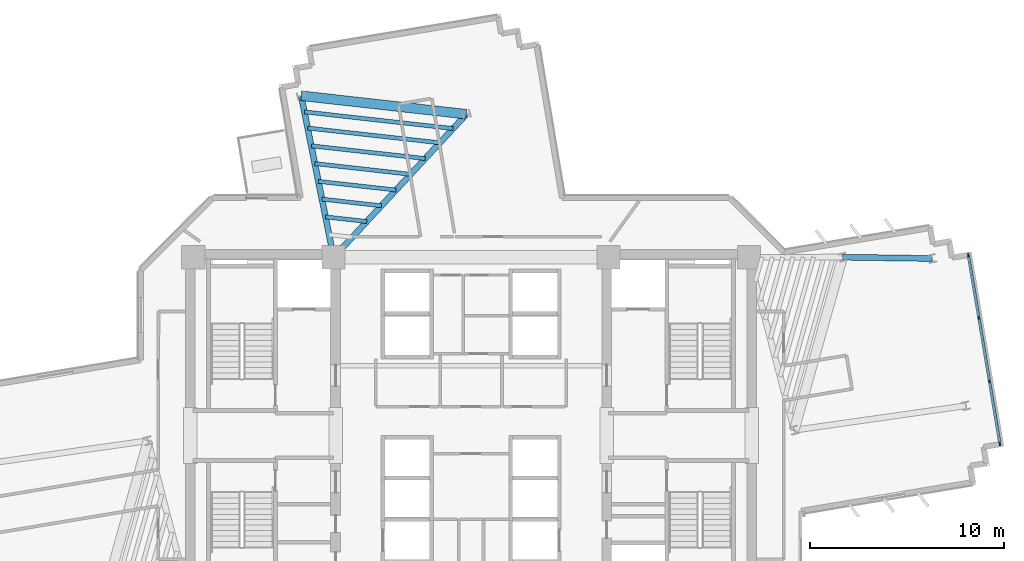
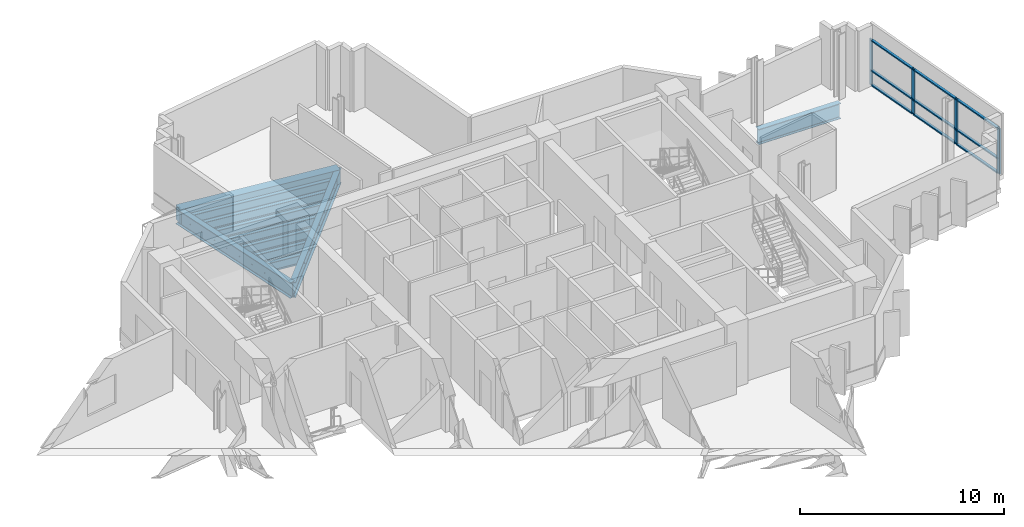
# One storey, part 5 of 15: 13 members, 11 beams, 1 element without a shape of its own.
"""IFC4 building model written with IfcOpenShell, lengths in metres."""

from ifc_helpers import new_model, si_unit, direction, frame, origin, origin_2d, place, context, subcontext, project, spatial, rectangle, i_section, extrude, source, transform, mapped, material, layer, layer_set, material_profile, profile_set, type_object, element, aggregate, save


model = new_model("IFC4")

# Units and contexts
model_context = context("Model", 3, precision=1e-05, world=origin(), true_north=direction((0.0, 1.0)))
body_context = subcontext(model_context, "Body", "Model", "MODEL_VIEW")
ifc_project = project(units=[si_unit("LENGTHUNIT", "METRE"), si_unit("AREAUNIT", "SQUARE_METRE"), si_unit("VOLUMEUNIT", "CUBIC_METRE"), si_unit("PLANEANGLEUNIT", "RADIAN"), si_unit("MASSUNIT", "GRAM", prefix="KILO")], contexts=[model_context])

# Site, building, storey
site_placement = place(None, origin())
site = spatial("IfcSite", under=ifc_project, at=site_placement, CompositionType="ELEMENT")
building_placement = place(site_placement, origin())
building = spatial("IfcBuilding", under=site, at=building_placement, Name="Zahravan Cultural Tower", CompositionType="ELEMENT")
storey_placement = place(building_placement, frame((0.0, 0.0, 135.60009765625)))
storey = spatial("IfcBuildingStorey", under=building, at=storey_placement, Name="L30", CompositionType="ELEMENT", Elevation=135.60009765625)

# Beams
ifc_material_1 = material(Name="Steel ASTM A992 Grade 50", Category="steel")
ifc_material_profile_1 = material_profile(ifc_material_1, i_section(OverallWidth=0.304931640625, OverallDepth=0.9189453125, WebThickness=0.017333984375, FlangeThickness=0.02783203125, FilletRadius=0.02392578125, at=origin_2d()), Name="W36X170")
ifc_profile_set_1 = profile_set([ifc_material_profile_1], Name="Steel ASTM A992 Grade 50")
beam_type_1 = type_object("IfcBeamType", Name="BM-G-W36X170", PredefinedType="BEAM", material=ifc_profile_set_1)
shared_shape_1 = source(origin(), body_context, "Body", "SweptSolid", [
    extrude(i_section(OverallWidth=0.304931640625, OverallDepth=0.9189453125, WebThickness=0.017333984375, FlangeThickness=0.02783203125, FilletRadius=0.02392578125, at=origin_2d()), origin(), (0.0, 0.0, 1.0), 10.077880859375),
])
beam_1_placement = place(storey_placement, frame((28.89990234375, 36.199951171875, -0.739501953125), z_axis=(0.680170435587, 0.733054007938, 0.0), x_axis=(-0.733054007938, 0.680170435587, 0.0)))
element("IfcBeam", 1, at=beam_1_placement, inside=storey, type_object=beam_type_1, Name="L30 Beam BG-L30-13", PredefinedType="BEAM", context=body_context, shape_type="MappedRepresentation", body=[
    mapped(shared_shape_1, transform((0.0, 0.0, 0.0), x_axis=(1.0, 0.0, 0.0), y_axis=(0.0, 1.0, 0.0), z_axis=(0.0, 0.0, 1.0), scale=1.0)),
])
shared_shape_2 = source(origin(), body_context, "Body", "SweptSolid", [
    extrude(i_section(OverallWidth=0.304931640625, OverallDepth=0.9189453125, WebThickness=0.017333984375, FlangeThickness=0.02783203125, FilletRadius=0.02392578125, at=origin_2d()), origin(), (0.0, 0.0, 1.0), 8.50732421875),
])
beam_2_placement = place(storey_placement, frame((28.89990234375, 36.199951171875, -0.739501953125), z_axis=(-0.196524514012, 0.980498911469, 0.0), x_axis=(-0.980498911469, -0.196524514012, 0.0)))
element("IfcBeam", 2, at=beam_2_placement, inside=storey, type_object=beam_type_1, Name="L30 Beam BG-L30-14", PredefinedType="BEAM", context=body_context, shape_type="MappedRepresentation", body=[
    mapped(shared_shape_2, transform((0.0, 0.0, 0.0), x_axis=(1.0, 0.0, 0.0), y_axis=(0.0, 1.0, 0.0), z_axis=(0.0, 0.0, 1.0), scale=1.0)),
])
shared_shape_3 = source(origin(), body_context, "Body", "SweptSolid", [
    extrude(i_section(OverallWidth=0.304931640625, OverallDepth=0.9189453125, WebThickness=0.017333984375, FlangeThickness=0.02783203125, FilletRadius=0.02392578125, at=origin_2d()), origin(), (0.0, 0.0, 1.0), 4.622314453125),
])
beam_3_placement = place(storey_placement, frame((55.184814453125, 36.2060546875, -0.739501953125), z_axis=(0.999889070044, -0.014894549562, 0.0), x_axis=(0.014894549562, 0.999889070044, 0.0)))
element("IfcBeam", 3, at=beam_3_placement, inside=storey, type_object=beam_type_1, Name="L30 Beam BG-L30-16", PredefinedType="BEAM", context=body_context, shape_type="MappedRepresentation", body=[
    mapped(shared_shape_3, transform((0.0, 0.0, 0.0), x_axis=(1.0, 0.0, 0.0), y_axis=(0.0, 1.0, 0.0), z_axis=(0.0, 0.0, 1.0), scale=1.0)),
])
ifc_material_2 = material(Name="Concrete C50/60", Category="concrete")
ifc_material_profile_2 = material_profile(ifc_material_2, rectangle(XDim=0.5, YDim=0.85009765625, at=origin_2d()), Name="RC500X850")
ifc_profile_set_2 = profile_set([ifc_material_profile_2], Name="Concrete C50/60")
beam_type_2 = type_object("IfcBeamType", Name="BM-SP-RC500X850", PredefinedType="SPANDREL", material=ifc_profile_set_2)
shared_shape_4 = source(origin(), body_context, "Body", "SweptSolid", [
    extrude(rectangle(XDim=0.5, YDim=0.85009765625, at=origin_2d()), origin(), (0.0, 0.0, 1.0), 8.579833984375),
])
beam_4_placement = place(storey_placement, frame((35.754638671875, 43.587646484375, -0.705078125), z_axis=(-0.9938040105, 0.11114669907, 0.0), x_axis=(-0.11114669907, -0.9938040105, 0.0)))
element("IfcBeam", 4, at=beam_4_placement, inside=storey, type_object=beam_type_2, Name="L30 Beam SP-L30-22", PredefinedType="SPANDREL", context=body_context, shape_type="MappedRepresentation", body=[
    mapped(shared_shape_4, transform((0.0, 0.0, 0.0), x_axis=(1.0, 0.0, 0.0), y_axis=(0.0, 1.0, 0.0), z_axis=(0.0, 0.0, 1.0), scale=1.0)),
])
ifc_material_profile_3 = material_profile(ifc_material_1, i_section(OverallWidth=0.2099609375, OverallDepth=0.532958984375, WebThickness=0.01025390625, FlangeThickness=0.015625, FilletRadius=0.013916015625, at=origin_2d()), Name="W21X62")
ifc_profile_set_3 = profile_set([ifc_material_profile_3], Name="Steel ASTM A992 Grade 50")
beam_type_3 = type_object("IfcBeamType", Name="BM-J-W21X62", PredefinedType="JOIST", material=ifc_profile_set_3)
shared_shape_5 = source(origin(), body_context, "Body", "SweptSolid", [
    extrude(i_section(OverallWidth=0.2099609375, OverallDepth=0.532958984375, WebThickness=0.01025390625, FlangeThickness=0.015625, FilletRadius=0.013916015625, at=origin_2d()), origin(), (0.0, 0.0, 1.0), 2.144775390625),
])
beam_5_placement = place(storey_placement, frame((30.613525390625, 38.046875, -0.546630859375), z_axis=(-0.993797370806, 0.111206051, 0.0), x_axis=(-0.111206051, -0.993797370806, 0.0)))
element("IfcBeam", 5, at=beam_5_placement, inside=storey, type_object=beam_type_3, Name="L30 Beam BJ-L30-49", PredefinedType="JOIST", context=body_context, shape_type="MappedRepresentation", body=[
    mapped(shared_shape_5, transform((0.0, 0.0, 0.0), x_axis=(1.0, 0.0, 0.0), y_axis=(0.0, 1.0, 0.0), z_axis=(0.0, 0.0, 1.0), scale=1.0)),
])
shared_shape_6 = source(origin(), body_context, "Body", "SweptSolid", [
    extrude(i_section(OverallWidth=0.2099609375, OverallDepth=0.532958984375, WebThickness=0.01025390625, FlangeThickness=0.015625, FilletRadius=0.013916015625, at=origin_2d()), origin(), (0.0, 0.0, 1.0), 3.088623046875),
])
beam_6_placement = place(storey_placement, frame((31.36767578125, 38.859619140625, -0.546630859375), z_axis=(-0.993805407368, 0.111134208443, 0.0), x_axis=(-0.111134208443, -0.993805407368, 0.0)))
element("IfcBeam", 6, at=beam_6_placement, inside=storey, type_object=beam_type_3, Name="L30 Beam BJ-L30-50", PredefinedType="JOIST", context=body_context, shape_type="MappedRepresentation", body=[
    mapped(shared_shape_6, transform((0.0, 0.0, 0.0), x_axis=(1.0, 0.0, 0.0), y_axis=(0.0, 1.0, 0.0), z_axis=(0.0, 0.0, 1.0), scale=1.0)),
])
shared_shape_7 = source(origin(), body_context, "Body", "SweptSolid", [
    extrude(i_section(OverallWidth=0.2099609375, OverallDepth=0.532958984375, WebThickness=0.01025390625, FlangeThickness=0.015625, FilletRadius=0.013916015625, at=origin_2d()), origin(), (0.0, 0.0, 1.0), 4.0322265625),
])
beam_7_placement = place(storey_placement, frame((32.12158203125, 39.672119140625, -0.546630859375), z_axis=(-0.993802245601, 0.11116247855, 0.0), x_axis=(-0.11116247855, -0.993802245601, 0.0)))
element("IfcBeam", 7, at=beam_7_placement, inside=storey, type_object=beam_type_3, Name="L30 Beam BJ-L30-51", PredefinedType="JOIST", context=body_context, shape_type="MappedRepresentation", body=[
    mapped(shared_shape_7, transform((0.0, 0.0, 0.0), x_axis=(1.0, 0.0, 0.0), y_axis=(0.0, 1.0, 0.0), z_axis=(0.0, 0.0, 1.0), scale=1.0)),
])
shared_shape_8 = source(origin(), body_context, "Body", "SweptSolid", [
    extrude(i_section(OverallWidth=0.2099609375, OverallDepth=0.532958984375, WebThickness=0.01025390625, FlangeThickness=0.015625, FilletRadius=0.013916015625, at=origin_2d()), origin(), (0.0, 0.0, 1.0), 4.97607421875),
])
beam_8_placement = place(storey_placement, frame((32.875732421875, 40.48486328125, -0.546630859375), z_axis=(-0.993806308517, 0.111126149723, 0.0), x_axis=(-0.111126149723, -0.993806308517, 0.0)))
element("IfcBeam", 8, at=beam_8_placement, inside=storey, type_object=beam_type_3, Name="L30 Beam BJ-L30-52", PredefinedType="JOIST", context=body_context, shape_type="MappedRepresentation", body=[
    mapped(shared_shape_8, transform((0.0, 0.0, 0.0), x_axis=(1.0, 0.0, 0.0), y_axis=(0.0, 1.0, 0.0), z_axis=(0.0, 0.0, 1.0), scale=1.0)),
])
shared_shape_9 = source(origin(), body_context, "Body", "SweptSolid", [
    extrude(i_section(OverallWidth=0.2099609375, OverallDepth=0.532958984375, WebThickness=0.01025390625, FlangeThickness=0.015625, FilletRadius=0.013916015625, at=origin_2d()), origin(), (0.0, 0.0, 1.0), 5.919921875),
])
beam_9_placement = place(storey_placement, frame((33.629638671875, 41.29736328125, -0.546630859375), z_axis=(-0.993804520866, 0.111142135602, 0.0), x_axis=(-0.111142135602, -0.993804520866, 0.0)))
element("IfcBeam", 9, at=beam_9_placement, inside=storey, type_object=beam_type_3, Name="L30 Beam BJ-L30-53", PredefinedType="JOIST", context=body_context, shape_type="MappedRepresentation", body=[
    mapped(shared_shape_9, transform((0.0, 0.0, 0.0), x_axis=(1.0, 0.0, 0.0), y_axis=(0.0, 1.0, 0.0), z_axis=(0.0, 0.0, 1.0), scale=1.0)),
])
shared_shape_10 = source(origin(), body_context, "Body", "SweptSolid", [
    extrude(i_section(OverallWidth=0.2099609375, OverallDepth=0.532958984375, WebThickness=0.01025390625, FlangeThickness=0.015625, FilletRadius=0.013916015625, at=origin_2d()), origin(), (0.0, 0.0, 1.0), 6.86376953125),
])
beam_10_placement = place(storey_placement, frame((34.3837890625, 42.110107421875, -0.546630859375), z_axis=(-0.993803224695, 0.111153725024, 0.0), x_axis=(-0.111153725024, -0.993803224695, 0.0)))
element("IfcBeam", 10, at=beam_10_placement, inside=storey, type_object=beam_type_3, Name="L30 Beam BJ-L30-54", PredefinedType="JOIST", context=body_context, shape_type="MappedRepresentation", body=[
    mapped(shared_shape_10, transform((0.0, 0.0, 0.0), x_axis=(1.0, 0.0, 0.0), y_axis=(0.0, 1.0, 0.0), z_axis=(0.0, 0.0, 1.0), scale=1.0)),
])
shared_shape_11 = source(origin(), body_context, "Body", "SweptSolid", [
    extrude(i_section(OverallWidth=0.2099609375, OverallDepth=0.532958984375, WebThickness=0.01025390625, FlangeThickness=0.015625, FilletRadius=0.013916015625, at=origin_2d()), origin(), (0.0, 0.0, 1.0), 7.7216796875),
])
beam_11_placement = place(storey_placement, frame((35.069091796875, 42.848876953125, -0.546630859375), z_axis=(-0.993805212115, 0.11113595446, 0.0), x_axis=(-0.11113595446, -0.993805212115, 0.0)))
element("IfcBeam", 11, at=beam_11_placement, inside=storey, type_object=beam_type_3, Name="L30 Beam BJ-L30-55", PredefinedType="JOIST", context=body_context, shape_type="MappedRepresentation", body=[
    mapped(shared_shape_11, transform((0.0, 0.0, 0.0), x_axis=(1.0, 0.0, 0.0), y_axis=(0.0, 1.0, 0.0), z_axis=(0.0, 0.0, 1.0), scale=1.0)),
])

# Curtain wall, members
ifc_material_3 = material(Name="Anodised bronze-aluminium mullion", Category="aluminium")
ifc_layer = layer(ifc_material_3, 0.199951171875)
ifc_layer_set = layer_set([ifc_layer], Name="Anodised bronze-aluminium mullion")
curtain_wall_type = type_object("IfcCurtainWallType", Name="CW-SYS-2", PredefinedType="USERDEFINED", material=ifc_layer_set)
curtain_wall_placement = place(storey_placement, origin())
curtain_wall = element("IfcCurtainWall", 12, at=curtain_wall_placement, inside=storey, type_object=curtain_wall_type, Name="L30 Recessed Curtain Wall CW-2.1", ObjectType="RECESSED GLAZING", PredefinedType="USERDEFINED")
ifc_material_profile_4 = material_profile(ifc_material_3, rectangle(XDim=0.14990234375, YDim=0.074951171875, at=origin_2d()), Name="AL-T75X150")
ifc_profile_set_4 = profile_set([ifc_material_profile_4], Name="Anodised bronze-aluminium mullion")
member_type_1 = type_object("IfcMemberType", Name="CWT-CW-2", PredefinedType="USERDEFINED", material=ifc_profile_set_4)
shared_shape_12 = source(origin(), body_context, "Body", "SweptSolid", [
    extrude(rectangle(XDim=0.14990234375, YDim=0.074951171875, at=origin_2d()), origin(), (0.0, 0.0, 1.0), 3.1943359375),
])
member_1_placement = place(storey_placement, frame((61.685302734375, 36.251220703125, 0.037353515625), z_axis=(0.165093031422, -0.98627799883, 0.0), x_axis=(0.98627799883, 0.165093031422, 0.0)))
member_1 = element("IfcMember", 13, at=member_1_placement, type_object=member_type_1, Name="CW-2 transom 1.1", ObjectType="TRANSOM", PredefinedType="USERDEFINED", context=body_context, shape_type="MappedRepresentation", body=[
    mapped(shared_shape_12, transform((0.0, 0.0, 0.0), x_axis=(1.0, 0.0, 0.0), y_axis=(0.0, 1.0, 0.0), z_axis=(0.0, 0.0, 1.0), scale=1.0)),
])
member_2_placement = place(storey_placement, frame((61.685302734375, 36.251220703125, 0.89990234375), z_axis=(0.165093031422, -0.98627799883, 0.0), x_axis=(0.98627799883, 0.165093031422, 0.0)))
member_2 = element("IfcMember", 14, at=member_2_placement, type_object=member_type_1, Name="CW-2 transom 1.2", ObjectType="TRANSOM", PredefinedType="USERDEFINED", context=body_context, shape_type="MappedRepresentation", body=[
    mapped(shared_shape_12, transform((0.0, 0.0, 0.0), x_axis=(1.0, 0.0, 0.0), y_axis=(0.0, 1.0, 0.0), z_axis=(0.0, 0.0, 1.0), scale=1.0)),
])
member_3_placement = place(storey_placement, frame((61.685302734375, 36.251220703125, 2.702392578125), z_axis=(0.165093031422, -0.98627799883, 0.0), x_axis=(0.98627799883, 0.165093031422, 0.0)))
member_3 = element("IfcMember", 15, at=member_3_placement, type_object=member_type_1, Name="CW-2 transom 1.3", ObjectType="TRANSOM", PredefinedType="USERDEFINED", context=body_context, shape_type="MappedRepresentation", body=[
    mapped(shared_shape_12, transform((0.0, 0.0, 0.0), x_axis=(1.0, 0.0, 0.0), y_axis=(0.0, 1.0, 0.0), z_axis=(0.0, 0.0, 1.0), scale=1.0)),
])
shared_shape_13 = source(origin(), body_context, "Body", "SweptSolid", [
    extrude(rectangle(XDim=0.14990234375, YDim=0.074951171875, at=origin_2d()), origin(), (0.0, 0.0, 1.0), 3.231689453125),
])
member_4_placement = place(storey_placement, frame((62.224853515625, 33.02685546875, 0.037353515625), z_axis=(0.165072756974, -0.986281392355, 0.0), x_axis=(0.986281392355, 0.165072756974, 0.0)))
member_4 = element("IfcMember", 16, at=member_4_placement, type_object=member_type_1, Name="CW-2 transom 2.1", ObjectType="TRANSOM", PredefinedType="USERDEFINED", context=body_context, shape_type="MappedRepresentation", body=[
    mapped(shared_shape_13, transform((0.0, 0.0, 0.0), x_axis=(1.0, 0.0, 0.0), y_axis=(0.0, 1.0, 0.0), z_axis=(0.0, 0.0, 1.0), scale=1.0)),
])
member_5_placement = place(storey_placement, frame((62.224853515625, 33.02685546875, 0.89990234375), z_axis=(0.165072756974, -0.986281392355, 0.0), x_axis=(0.986281392355, 0.165072756974, 0.0)))
member_5 = element("IfcMember", 17, at=member_5_placement, type_object=member_type_1, Name="CW-2 transom 2.2", ObjectType="TRANSOM", PredefinedType="USERDEFINED", context=body_context, shape_type="MappedRepresentation", body=[
    mapped(shared_shape_13, transform((0.0, 0.0, 0.0), x_axis=(1.0, 0.0, 0.0), y_axis=(0.0, 1.0, 0.0), z_axis=(0.0, 0.0, 1.0), scale=1.0)),
])
member_6_placement = place(storey_placement, frame((62.224853515625, 33.02685546875, 2.702392578125), z_axis=(0.165072756974, -0.986281392355, 0.0), x_axis=(0.986281392355, 0.165072756974, 0.0)))
member_6 = element("IfcMember", 18, at=member_6_placement, type_object=member_type_1, Name="CW-2 transom 2.3", ObjectType="TRANSOM", PredefinedType="USERDEFINED", context=body_context, shape_type="MappedRepresentation", body=[
    mapped(shared_shape_13, transform((0.0, 0.0, 0.0), x_axis=(1.0, 0.0, 0.0), y_axis=(0.0, 1.0, 0.0), z_axis=(0.0, 0.0, 1.0), scale=1.0)),
])
ifc_material_profile_5 = material_profile(ifc_material_3, rectangle(XDim=0.074951171875, YDim=0.199951171875, at=origin_2d()), Name="AL-M75X200")
ifc_profile_set_5 = profile_set([ifc_material_profile_5], Name="Anodised bronze-aluminium mullion")
member_type_2 = type_object("IfcMemberType", Name="CWM-CW-2", PredefinedType="MULLION", material=ifc_profile_set_5)
shared_shape_14 = source(origin(), body_context, "Body", "SweptSolid", [
    extrude(rectangle(XDim=0.074951171875, YDim=0.199951171875, at=origin_2d()), origin(), (0.0, 0.0, 1.0), 2.739990234375),
])
member_7_placement = place(storey_placement, frame((61.67919921875, 36.2880859375, 0.0), z_axis=(0.0, 0.0, 1.0), x_axis=(0.986285000163, 0.165051199491, 0.0)))
member_7 = element("IfcMember", 19, at=member_7_placement, type_object=member_type_2, Name="CW-2 mullion 1", PredefinedType="MULLION", context=body_context, shape_type="MappedRepresentation", body=[
    mapped(shared_shape_14, transform((0.0, 0.0, 0.0), x_axis=(1.0, 0.0, 0.0), y_axis=(0.0, 1.0, 0.0), z_axis=(0.0, 0.0, 1.0), scale=1.0)),
])
member_8_placement = place(storey_placement, frame((62.21875, 33.063720703125, 0.0), z_axis=(0.0, 0.0, 1.0), x_axis=(0.986285000163, 0.165051199491, 0.0)))
member_8 = element("IfcMember", 20, at=member_8_placement, type_object=member_type_2, Name="CW-2 mullion 2", PredefinedType="MULLION", context=body_context, shape_type="MappedRepresentation", body=[
    mapped(shared_shape_14, transform((0.0, 0.0, 0.0), x_axis=(1.0, 0.0, 0.0), y_axis=(0.0, 1.0, 0.0), z_axis=(0.0, 0.0, 1.0), scale=1.0)),
])
member_9_placement = place(storey_placement, frame((62.7646484375, 29.802490234375, 0.0), z_axis=(0.0, 0.0, 1.0), x_axis=(0.986285000163, 0.165051199491, 0.0)))
member_9 = element("IfcMember", 21, at=member_9_placement, type_object=member_type_2, Name="CW-2 mullion 3", PredefinedType="MULLION", context=body_context, shape_type="MappedRepresentation", body=[
    mapped(shared_shape_14, transform((0.0, 0.0, 0.0), x_axis=(1.0, 0.0, 0.0), y_axis=(0.0, 1.0, 0.0), z_axis=(0.0, 0.0, 1.0), scale=1.0)),
])
member_10_placement = place(storey_placement, frame((63.30419921875, 26.578125, 0.0), z_axis=(0.0, 0.0, 1.0), x_axis=(0.986285000163, 0.165051199491, 0.0)))
member_10 = element("IfcMember", 22, at=member_10_placement, type_object=member_type_2, Name="CW-2 mullion 4", PredefinedType="MULLION", context=body_context, shape_type="MappedRepresentation", body=[
    mapped(shared_shape_14, transform((0.0, 0.0, 0.0), x_axis=(1.0, 0.0, 0.0), y_axis=(0.0, 1.0, 0.0), z_axis=(0.0, 0.0, 1.0), scale=1.0)),
])
shared_shape_15 = source(origin(), body_context, "Body", "SweptSolid", [
    extrude(rectangle(XDim=0.14990234375, YDim=0.074951171875, at=origin_2d()), origin(), (0.0, 0.0, 1.0), 3.194091796875),
])
member_11_placement = place(storey_placement, frame((62.770751953125, 29.765625, 0.037353515625), z_axis=(0.165018681263, -0.986290441419, 0.0), x_axis=(0.986290441419, 0.165018681263, 0.0)))
member_11 = element("IfcMember", 23, at=member_11_placement, type_object=member_type_1, Name="CW-2 transom 3.1", ObjectType="TRANSOM", PredefinedType="USERDEFINED", context=body_context, shape_type="MappedRepresentation", body=[
    mapped(shared_shape_15, transform((0.0, 0.0, 0.0), x_axis=(1.0, 0.0, 0.0), y_axis=(0.0, 1.0, 0.0), z_axis=(0.0, 0.0, 1.0), scale=1.0)),
])
member_12_placement = place(storey_placement, frame((62.770751953125, 29.765625, 0.89990234375), z_axis=(0.165018681263, -0.986290441419, 0.0), x_axis=(0.986290441419, 0.165018681263, 0.0)))
member_12 = element("IfcMember", 24, at=member_12_placement, type_object=member_type_1, Name="CW-2 transom 3.2", ObjectType="TRANSOM", PredefinedType="USERDEFINED", context=body_context, shape_type="MappedRepresentation", body=[
    mapped(shared_shape_15, transform((0.0, 0.0, 0.0), x_axis=(1.0, 0.0, 0.0), y_axis=(0.0, 1.0, 0.0), z_axis=(0.0, 0.0, 1.0), scale=1.0)),
])
member_13_placement = place(storey_placement, frame((62.770751953125, 29.765625, 2.702392578125), z_axis=(0.165018681263, -0.986290441419, 0.0), x_axis=(0.986290441419, 0.165018681263, 0.0)))
member_13 = element("IfcMember", 25, at=member_13_placement, type_object=member_type_1, Name="CW-2 transom 3.3", ObjectType="TRANSOM", PredefinedType="USERDEFINED", context=body_context, shape_type="MappedRepresentation", body=[
    mapped(shared_shape_15, transform((0.0, 0.0, 0.0), x_axis=(1.0, 0.0, 0.0), y_axis=(0.0, 1.0, 0.0), z_axis=(0.0, 0.0, 1.0), scale=1.0)),
])
aggregate(curtain_wall, [member_7, member_8, member_9, member_10, member_1, member_2, member_3, member_4, member_5, member_6, member_11, member_12, member_13])

save(model, "model.ifc")
